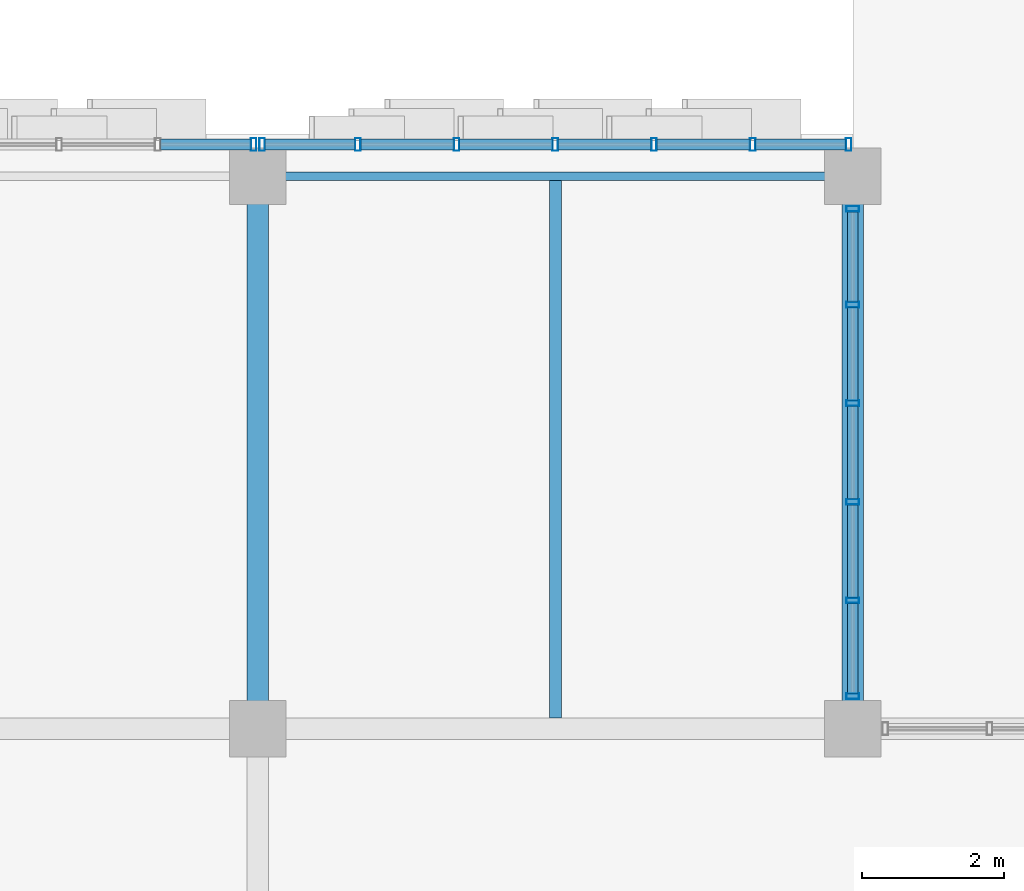
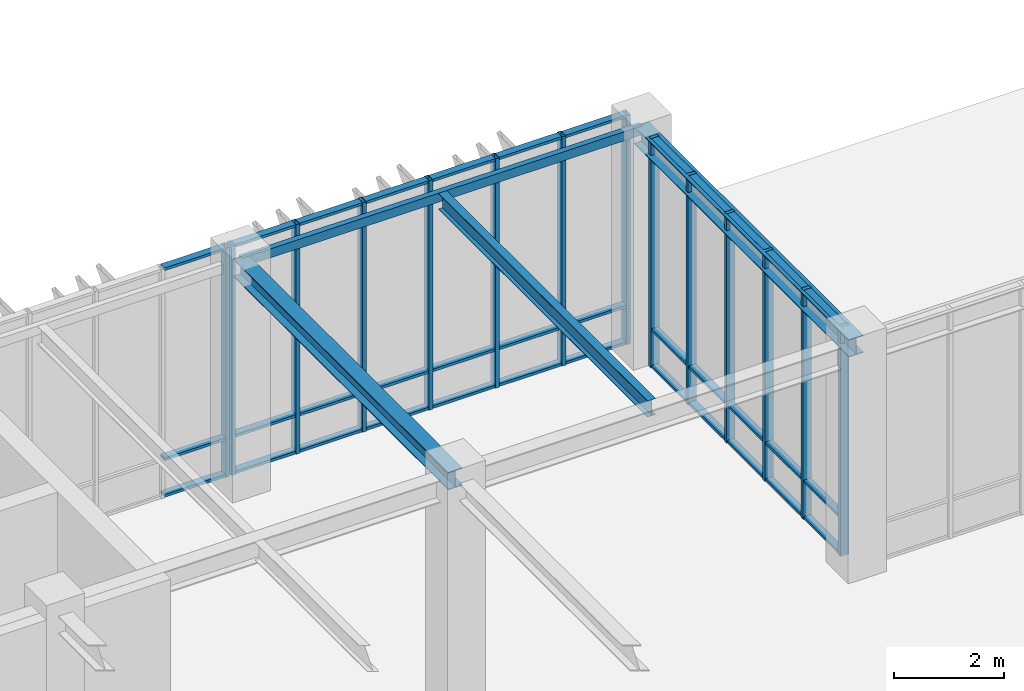
# One storey, part 49 of 139: 50 members, 4 beams, 3 elements without a shape of their own.
"""IFC4 building model written with IfcOpenShell, lengths in metres."""

from ifc_helpers import new_model, si_unit, direction, frame, origin, origin_2d, place, context, subcontext, project, spatial, hollow_rectangle, i_section, extrude, material, layer, layer_set, material_profile, profile_set, type_object, element, aggregate, save


model = new_model("IFC4")

# Units and contexts
model_context = context("Model", 3, precision=1e-05, world=origin(), true_north=direction((0.0, 1.0)))
body_context = subcontext(model_context, "Body", "Model", "MODEL_VIEW")
ifc_project = project(units=[si_unit("LENGTHUNIT", "METRE"), si_unit("AREAUNIT", "SQUARE_METRE"), si_unit("VOLUMEUNIT", "CUBIC_METRE"), si_unit("PLANEANGLEUNIT", "RADIAN"), si_unit("MASSUNIT", "GRAM", prefix="KILO")], contexts=[model_context])

# Site, building, storey
site_placement = place(None, origin())
site = spatial("IfcSite", under=ifc_project, at=site_placement, CompositionType="ELEMENT")
building_placement = place(site_placement, origin())
building = spatial("IfcBuilding", under=site, at=building_placement, Name="Zayran Congress Hotel", CompositionType="ELEMENT")
storey_placement = place(building_placement, frame((0.0, 0.0, 5.39990234375)))
storey = spatial("IfcBuildingStorey", under=building, at=storey_placement, Name="L01", CompositionType="ELEMENT", Elevation=5.39990234375)

# Beams
ifc_material_1 = material(Name="Steel S355", Category="steel")
ifc_material_profile_1 = material_profile(ifc_material_1, i_section(OverallWidth=0.300048828125, OverallDepth=0.389892578125, WebThickness=0.010986328125, FlangeThickness=0.01904296875, at=origin_2d()), Name="HEA 400")
ifc_profile_set_1 = profile_set([ifc_material_profile_1], Name="Steel S355")
beam_type_1 = type_object("IfcBeamType", Name="TP-BM-06", PredefinedType="BEAM", material=ifc_profile_set_1)
for number, where, z_axis, x_axis, name in (
    (1, (25.199951171875, 109.60009765625, 4.885009765625), (0.0, 1.0, 0.0), (-1.0, 0.0, 0.0), "BM-V1-L01-0586"),
    (2, (33.60009765625, 109.60009765625, 4.885009765625), (0.0, 1.0, 0.0), (-1.0, 0.0, 0.0), "BM-V1-L01-0589"),
):
    element("IfcBeam", number, at=place(storey_placement, frame(where, z_axis=z_axis, x_axis=x_axis)), inside=storey, type_object=beam_type_1, Name=name, PredefinedType="BEAM", context=body_context, shape_type="SweptSolid", body=[
        extrude(i_section(OverallWidth=0.300048828125, OverallDepth=0.389892578125, WebThickness=0.010986328125, FlangeThickness=0.01904296875, at=origin_2d()), origin(), (0.0, 0.0, 1.0), 7.7998046875),
    ])
ifc_material_profile_2 = material_profile(ifc_material_1, i_section(OverallWidth=0.169921875, OverallDepth=0.360107421875, WebThickness=0.008056640625, FlangeThickness=0.0126953125, at=origin_2d()), Name="IPE 360")
ifc_profile_set_2 = profile_set([ifc_material_profile_2], Name="Steel S355")
beam_type_2 = type_object("IfcBeamType", Name="TP-JS-04", PredefinedType="JOIST", material=ifc_profile_set_2)
beam_1_placement = place(storey_placement, frame((29.39990234375, 109.75, 4.900146484375), z_axis=(0.0, 1.0, 0.0), x_axis=(-1.0, 0.0, 0.0)))
element("IfcBeam", 3, at=beam_1_placement, inside=storey, type_object=beam_type_2, Name="JST-V1-L01-0628", PredefinedType="JOIST", context=body_context, shape_type="SweptSolid", body=[
    extrude(i_section(OverallWidth=0.169921875, OverallDepth=0.360107421875, WebThickness=0.008056640625, FlangeThickness=0.0126953125, at=origin_2d()), origin(), (0.0, 0.0, 1.0), 7.590087890625),
])
ifc_material_profile_3 = material_profile(ifc_material_1, hollow_rectangle(XDim=0.1201171875, YDim=0.199951171875, WallThickness=0.008056640625, at=origin_2d()), Name="RHS 200x120x8")
ifc_profile_set_3 = profile_set([ifc_material_profile_3], Name="Steel S355")
beam_type_3 = type_object("IfcBeamType", Name="TP-SP-02", PredefinedType="SPANDREL", material=ifc_profile_set_3)
beam_2_placement = place(storey_placement, frame((25.199951171875, 117.39990234375, 4.97998046875), z_axis=(1.0, 0.0, 0.0), x_axis=(0.0, 1.0, 0.0)))
element("IfcBeam", 4, at=beam_2_placement, inside=storey, type_object=beam_type_3, Name="BM-V1-L01-0563", PredefinedType="SPANDREL", context=body_context, shape_type="SweptSolid", body=[
    extrude(hollow_rectangle(XDim=0.1201171875, YDim=0.199951171875, WallThickness=0.008056640625, at=origin_2d()), origin(), (0.0, 0.0, 1.0), 8.400146484375),
])

# Curtain wall, member
ifc_material_2 = material(Name="Anodised aluminium and low-E insulated glass", Category="aluminium")
ifc_layer_1 = layer(ifc_material_2, 0.179931640625)
ifc_layer_set_1 = layer_set([ifc_layer_1], Name="Anodised aluminium and low-E insulated glass")
curtain_wall_type_1 = type_object("IfcCurtainWallType", Name="CW-V1N-L01-CW-22-8360-5080", PredefinedType="USERDEFINED", material=ifc_layer_set_1)
curtain_wall_1_placement = place(storey_placement, origin())
curtain_wall_1 = element("IfcCurtainWall", 5, at=curtain_wall_1_placement, inside=storey, type_object=curtain_wall_type_1, Name="CW-V1N-L01-1", ObjectType="CURTAIN WALL", PredefinedType="USERDEFINED")
ifc_material_3 = material(Name="Anodised aluminium framing", Category="aluminium")
ifc_material_profile_4 = material_profile(ifc_material_3, hollow_rectangle(XDim=0.080078125, YDim=0.179931640625, WallThickness=0.0048828125, at=origin_2d()), Name="RHS 180x80x5")
ifc_profile_set_4 = profile_set([ifc_material_profile_4], Name="Anodised aluminium framing")
member_type_1 = type_object("IfcMemberType", Name="TP-CWM-01", PredefinedType="MULLION", material=ifc_profile_set_4)
member_1_placement = place(storey_placement, frame((25.139892578125, 117.85009765625, 0.0), z_axis=(0.0, 0.0, 1.0), x_axis=(1.0, 0.0, 0.0)))
member_1 = element("IfcMember", 6, at=member_1_placement, type_object=member_type_1, Name="CW-V1N-L01-1-M00", PredefinedType="MULLION", context=body_context, shape_type="SweptSolid", body=[
    extrude(hollow_rectangle(XDim=0.080078125, YDim=0.179931640625, WallThickness=0.0048828125, at=origin_2d()), origin(), (0.0, 0.0, 1.0), 5.080078125),
])

# Curtain wall, members
ifc_layer_2 = layer(ifc_material_2, 0.179931640625)
ifc_layer_set_2 = layer_set([ifc_layer_2], Name="Anodised aluminium and low-E insulated glass")
curtain_wall_type_2 = type_object("IfcCurtainWallType", Name="CW-V1N-L01-CW-23-8360-5080", PredefinedType="USERDEFINED", material=ifc_layer_set_2)
curtain_wall_2_placement = place(storey_placement, origin())
curtain_wall_2 = element("IfcCurtainWall", 7, at=curtain_wall_2_placement, inside=storey, type_object=curtain_wall_type_2, Name="CW-V1N-L01-2", ObjectType="CURTAIN WALL", PredefinedType="USERDEFINED")
member_2_placement = place(storey_placement, frame((33.5400390625, 117.85009765625, 0.0), z_axis=(0.0, 0.0, 1.0), x_axis=(1.0, 0.0, 0.0)))
member_2 = element("IfcMember", 8, at=member_2_placement, type_object=member_type_1, Name="CW-V1N-L01-2-M00", PredefinedType="MULLION", context=body_context, shape_type="SweptSolid", body=[
    extrude(hollow_rectangle(XDim=0.080078125, YDim=0.179931640625, WallThickness=0.0048828125, at=origin_2d()), origin(), (0.0, 0.0, 1.0), 5.080078125),
])
member_3_placement = place(storey_placement, frame((32.186767578125, 117.85009765625, 0.0), z_axis=(0.0, 0.0, 1.0), x_axis=(1.0, 0.0, 0.0)))
member_3 = element("IfcMember", 9, at=member_3_placement, type_object=member_type_1, Name="CW-V1N-L01-2-M01", PredefinedType="MULLION", context=body_context, shape_type="SweptSolid", body=[
    extrude(hollow_rectangle(XDim=0.080078125, YDim=0.179931640625, WallThickness=0.0048828125, at=origin_2d()), origin(), (0.0, 0.0, 1.0), 5.080078125),
])
member_4_placement = place(storey_placement, frame((30.793212890625, 117.85009765625, 0.0), z_axis=(0.0, 0.0, 1.0), x_axis=(1.0, 0.0, 0.0)))
member_4 = element("IfcMember", 10, at=member_4_placement, type_object=member_type_1, Name="CW-V1N-L01-2-M02", PredefinedType="MULLION", context=body_context, shape_type="SweptSolid", body=[
    extrude(hollow_rectangle(XDim=0.080078125, YDim=0.179931640625, WallThickness=0.0048828125, at=origin_2d()), origin(), (0.0, 0.0, 1.0), 5.080078125),
])
member_5_placement = place(storey_placement, frame((29.39990234375, 117.85009765625, 0.0), z_axis=(0.0, 0.0, 1.0), x_axis=(1.0, 0.0, 0.0)))
member_5 = element("IfcMember", 11, at=member_5_placement, type_object=member_type_1, Name="CW-V1N-L01-2-M03", PredefinedType="MULLION", context=body_context, shape_type="SweptSolid", body=[
    extrude(hollow_rectangle(XDim=0.080078125, YDim=0.179931640625, WallThickness=0.0048828125, at=origin_2d()), origin(), (0.0, 0.0, 1.0), 5.080078125),
])
member_6_placement = place(storey_placement, frame((28.006591796875, 117.85009765625, 0.0), z_axis=(0.0, 0.0, 1.0), x_axis=(1.0, 0.0, 0.0)))
member_6 = element("IfcMember", 12, at=member_6_placement, type_object=member_type_1, Name="CW-V1N-L01-2-M04", PredefinedType="MULLION", context=body_context, shape_type="SweptSolid", body=[
    extrude(hollow_rectangle(XDim=0.080078125, YDim=0.179931640625, WallThickness=0.0048828125, at=origin_2d()), origin(), (0.0, 0.0, 1.0), 5.080078125),
])
member_7_placement = place(storey_placement, frame((26.61328125, 117.85009765625, 0.0), z_axis=(0.0, 0.0, 1.0), x_axis=(1.0, 0.0, 0.0)))
member_7 = element("IfcMember", 13, at=member_7_placement, type_object=member_type_1, Name="CW-V1N-L01-2-M05", PredefinedType="MULLION", context=body_context, shape_type="SweptSolid", body=[
    extrude(hollow_rectangle(XDim=0.080078125, YDim=0.179931640625, WallThickness=0.0048828125, at=origin_2d()), origin(), (0.0, 0.0, 1.0), 5.080078125),
])
member_8_placement = place(storey_placement, frame((25.260009765625, 117.85009765625, 0.0), z_axis=(0.0, 0.0, 1.0), x_axis=(1.0, 0.0, 0.0)))
member_8 = element("IfcMember", 14, at=member_8_placement, type_object=member_type_1, Name="CW-V1N-L01-2-M06", PredefinedType="MULLION", context=body_context, shape_type="SweptSolid", body=[
    extrude(hollow_rectangle(XDim=0.080078125, YDim=0.179931640625, WallThickness=0.0048828125, at=origin_2d()), origin(), (0.0, 0.0, 1.0), 5.080078125),
])

ifc_layer_3 = layer(ifc_material_2, 0.179931640625)
ifc_layer_set_3 = layer_set([ifc_layer_3], Name="Anodised aluminium and low-E insulated glass")
curtain_wall_type_3 = type_object("IfcCurtainWallType", Name="CW-V1NW-L01-CW-24-6960-5080", PredefinedType="USERDEFINED", material=ifc_layer_set_3)
curtain_wall_3_placement = place(storey_placement, origin())
curtain_wall_3 = element("IfcCurtainWall", 15, at=curtain_wall_3_placement, inside=storey, type_object=curtain_wall_type_3, Name="CW-V1NW-L01", ObjectType="CURTAIN WALL", PredefinedType="USERDEFINED")
member_9_placement = place(storey_placement, frame((33.60009765625, 110.06005859375, 0.0), z_axis=(0.0, 0.0, 1.0), x_axis=(0.0, 1.0, 0.0)))
member_9 = element("IfcMember", 16, at=member_9_placement, type_object=member_type_1, Name="CW-V1NW-L01-M00", PredefinedType="MULLION", context=body_context, shape_type="SweptSolid", body=[
    extrude(hollow_rectangle(XDim=0.080078125, YDim=0.179931640625, WallThickness=0.0048828125, at=origin_2d()), origin(), (0.0, 0.0, 1.0), 5.080078125),
])
member_10_placement = place(storey_placement, frame((33.60009765625, 111.412109375, 0.0), z_axis=(0.0, 0.0, 1.0), x_axis=(0.0, 1.0, 0.0)))
member_10 = element("IfcMember", 17, at=member_10_placement, type_object=member_type_1, Name="CW-V1NW-L01-M01", PredefinedType="MULLION", context=body_context, shape_type="SweptSolid", body=[
    extrude(hollow_rectangle(XDim=0.080078125, YDim=0.179931640625, WallThickness=0.0048828125, at=origin_2d()), origin(), (0.0, 0.0, 1.0), 5.080078125),
])
member_11_placement = place(storey_placement, frame((33.60009765625, 112.803955078125, 0.0), z_axis=(0.0, 0.0, 1.0), x_axis=(0.0, 1.0, 0.0)))
member_11 = element("IfcMember", 18, at=member_11_placement, type_object=member_type_1, Name="CW-V1NW-L01-M02", PredefinedType="MULLION", context=body_context, shape_type="SweptSolid", body=[
    extrude(hollow_rectangle(XDim=0.080078125, YDim=0.179931640625, WallThickness=0.0048828125, at=origin_2d()), origin(), (0.0, 0.0, 1.0), 5.080078125),
])
member_12_placement = place(storey_placement, frame((33.60009765625, 114.196044921875, 0.0), z_axis=(0.0, 0.0, 1.0), x_axis=(0.0, 1.0, 0.0)))
member_12 = element("IfcMember", 19, at=member_12_placement, type_object=member_type_1, Name="CW-V1NW-L01-M03", PredefinedType="MULLION", context=body_context, shape_type="SweptSolid", body=[
    extrude(hollow_rectangle(XDim=0.080078125, YDim=0.179931640625, WallThickness=0.0048828125, at=origin_2d()), origin(), (0.0, 0.0, 1.0), 5.080078125),
])
member_13_placement = place(storey_placement, frame((33.60009765625, 115.587890625, 0.0), z_axis=(0.0, 0.0, 1.0), x_axis=(0.0, 1.0, 0.0)))
member_13 = element("IfcMember", 20, at=member_13_placement, type_object=member_type_1, Name="CW-V1NW-L01-M04", PredefinedType="MULLION", context=body_context, shape_type="SweptSolid", body=[
    extrude(hollow_rectangle(XDim=0.080078125, YDim=0.179931640625, WallThickness=0.0048828125, at=origin_2d()), origin(), (0.0, 0.0, 1.0), 5.080078125),
])
member_14_placement = place(storey_placement, frame((33.60009765625, 116.93994140625, 0.0), z_axis=(0.0, 0.0, 1.0), x_axis=(0.0, 1.0, 0.0)))
member_14 = element("IfcMember", 21, at=member_14_placement, type_object=member_type_1, Name="CW-V1NW-L01-M05", PredefinedType="MULLION", context=body_context, shape_type="SweptSolid", body=[
    extrude(hollow_rectangle(XDim=0.080078125, YDim=0.179931640625, WallThickness=0.0048828125, at=origin_2d()), origin(), (0.0, 0.0, 1.0), 5.080078125),
])

# Member
ifc_material_profile_5 = material_profile(ifc_material_3, hollow_rectangle(XDim=0.06005859375, YDim=0.14990234375, WallThickness=0.00390625, at=origin_2d()), Name="RHS 150x60x4")
ifc_profile_set_5 = profile_set([ifc_material_profile_5], Name="Anodised aluminium framing")
member_type_2 = type_object("IfcMemberType", Name="TP-CWT-01", PredefinedType="USERDEFINED", material=ifc_profile_set_5)
member_15_placement = place(storey_placement, frame((25.10009765625, 117.85009765625, 0.030029296875), z_axis=(-1.0, 0.0, 0.0), x_axis=(0.0, 0.0, 1.0)))
member_15 = element("IfcMember", 22, at=member_15_placement, type_object=member_type_2, Name="CW-V1N-L01-1-T00-0", ObjectType="TRANSOM", PredefinedType="USERDEFINED", context=body_context, shape_type="SweptSolid", body=[
    extrude(hollow_rectangle(XDim=0.06005859375, YDim=0.14990234375, WallThickness=0.00390625, at=origin_2d()), origin(), (0.0, 0.0, 1.0), 1.2734375),
])

member_16_placement = place(storey_placement, frame((25.10009765625, 117.85009765625, 0.840087890625), z_axis=(-1.0, 0.0, 0.0), x_axis=(0.0, 0.0, 1.0)))
member_16 = element("IfcMember", 23, at=member_16_placement, type_object=member_type_2, Name="CW-V1N-L01-1-T00-1", ObjectType="TRANSOM", PredefinedType="USERDEFINED", context=body_context, shape_type="SweptSolid", body=[
    extrude(hollow_rectangle(XDim=0.06005859375, YDim=0.14990234375, WallThickness=0.00390625, at=origin_2d()), origin(), (0.0, 0.0, 1.0), 1.2734375),
])

member_17_placement = place(storey_placement, frame((25.10009765625, 117.85009765625, 5.050048828125), z_axis=(-1.0, 0.0, 0.0), x_axis=(0.0, 0.0, 1.0)))
member_17 = element("IfcMember", 24, at=member_17_placement, type_object=member_type_2, Name="CW-V1N-L01-1-T00-2", ObjectType="TRANSOM", PredefinedType="USERDEFINED", context=body_context, shape_type="SweptSolid", body=[
    extrude(hollow_rectangle(XDim=0.06005859375, YDim=0.14990234375, WallThickness=0.00390625, at=origin_2d()), origin(), (0.0, 0.0, 1.0), 1.2734375),
])

aggregate(curtain_wall_1, [member_1, member_15, member_16, member_17])

member_18_placement = place(storey_placement, frame((33.5, 117.85009765625, 0.030029296875), z_axis=(-1.0, 0.0, 0.0), x_axis=(0.0, 0.0, 1.0)))
member_18 = element("IfcMember", 25, at=member_18_placement, type_object=member_type_2, Name="CW-V1N-L01-2-T00-0", ObjectType="TRANSOM", PredefinedType="USERDEFINED", context=body_context, shape_type="SweptSolid", body=[
    extrude(hollow_rectangle(XDim=0.06005859375, YDim=0.14990234375, WallThickness=0.00390625, at=origin_2d()), origin(), (0.0, 0.0, 1.0), 1.273193359375),
])

member_19_placement = place(storey_placement, frame((33.5, 117.85009765625, 0.840087890625), z_axis=(-1.0, 0.0, 0.0), x_axis=(0.0, 0.0, 1.0)))
member_19 = element("IfcMember", 26, at=member_19_placement, type_object=member_type_2, Name="CW-V1N-L01-2-T00-1", ObjectType="TRANSOM", PredefinedType="USERDEFINED", context=body_context, shape_type="SweptSolid", body=[
    extrude(hollow_rectangle(XDim=0.06005859375, YDim=0.14990234375, WallThickness=0.00390625, at=origin_2d()), origin(), (0.0, 0.0, 1.0), 1.273193359375),
])

member_20_placement = place(storey_placement, frame((33.5, 117.85009765625, 5.050048828125), z_axis=(-1.0, 0.0, 0.0), x_axis=(0.0, 0.0, 1.0)))
member_20 = element("IfcMember", 27, at=member_20_placement, type_object=member_type_2, Name="CW-V1N-L01-2-T00-2", ObjectType="TRANSOM", PredefinedType="USERDEFINED", context=body_context, shape_type="SweptSolid", body=[
    extrude(hollow_rectangle(XDim=0.06005859375, YDim=0.14990234375, WallThickness=0.00390625, at=origin_2d()), origin(), (0.0, 0.0, 1.0), 1.273193359375),
])

member_21_placement = place(storey_placement, frame((32.146728515625, 117.85009765625, 0.030029296875), z_axis=(-1.0, 0.0, 0.0), x_axis=(0.0, 0.0, 1.0)))
member_21 = element("IfcMember", 28, at=member_21_placement, type_object=member_type_2, Name="CW-V1N-L01-2-T01-0", ObjectType="TRANSOM", PredefinedType="USERDEFINED", context=body_context, shape_type="SweptSolid", body=[
    extrude(hollow_rectangle(XDim=0.06005859375, YDim=0.14990234375, WallThickness=0.00390625, at=origin_2d()), origin(), (0.0, 0.0, 1.0), 1.3134765625),
])

member_22_placement = place(storey_placement, frame((32.146728515625, 117.85009765625, 0.840087890625), z_axis=(-1.0, 0.0, 0.0), x_axis=(0.0, 0.0, 1.0)))
member_22 = element("IfcMember", 29, at=member_22_placement, type_object=member_type_2, Name="CW-V1N-L01-2-T01-1", ObjectType="TRANSOM", PredefinedType="USERDEFINED", context=body_context, shape_type="SweptSolid", body=[
    extrude(hollow_rectangle(XDim=0.06005859375, YDim=0.14990234375, WallThickness=0.00390625, at=origin_2d()), origin(), (0.0, 0.0, 1.0), 1.3134765625),
])

member_23_placement = place(storey_placement, frame((32.146728515625, 117.85009765625, 5.050048828125), z_axis=(-1.0, 0.0, 0.0), x_axis=(0.0, 0.0, 1.0)))
member_23 = element("IfcMember", 30, at=member_23_placement, type_object=member_type_2, Name="CW-V1N-L01-2-T01-2", ObjectType="TRANSOM", PredefinedType="USERDEFINED", context=body_context, shape_type="SweptSolid", body=[
    extrude(hollow_rectangle(XDim=0.06005859375, YDim=0.14990234375, WallThickness=0.00390625, at=origin_2d()), origin(), (0.0, 0.0, 1.0), 1.3134765625),
])

member_24_placement = place(storey_placement, frame((30.75341796875, 117.85009765625, 0.030029296875), z_axis=(-1.0, 0.0, 0.0), x_axis=(0.0, 0.0, 1.0)))
member_24 = element("IfcMember", 31, at=member_24_placement, type_object=member_type_2, Name="CW-V1N-L01-2-T02-0", ObjectType="TRANSOM", PredefinedType="USERDEFINED", context=body_context, shape_type="SweptSolid", body=[
    extrude(hollow_rectangle(XDim=0.06005859375, YDim=0.14990234375, WallThickness=0.00390625, at=origin_2d()), origin(), (0.0, 0.0, 1.0), 1.3134765625),
])

member_25_placement = place(storey_placement, frame((30.75341796875, 117.85009765625, 0.840087890625), z_axis=(-1.0, 0.0, 0.0), x_axis=(0.0, 0.0, 1.0)))
member_25 = element("IfcMember", 32, at=member_25_placement, type_object=member_type_2, Name="CW-V1N-L01-2-T02-1", ObjectType="TRANSOM", PredefinedType="USERDEFINED", context=body_context, shape_type="SweptSolid", body=[
    extrude(hollow_rectangle(XDim=0.06005859375, YDim=0.14990234375, WallThickness=0.00390625, at=origin_2d()), origin(), (0.0, 0.0, 1.0), 1.3134765625),
])

member_26_placement = place(storey_placement, frame((30.75341796875, 117.85009765625, 5.050048828125), z_axis=(-1.0, 0.0, 0.0), x_axis=(0.0, 0.0, 1.0)))
member_26 = element("IfcMember", 33, at=member_26_placement, type_object=member_type_2, Name="CW-V1N-L01-2-T02-2", ObjectType="TRANSOM", PredefinedType="USERDEFINED", context=body_context, shape_type="SweptSolid", body=[
    extrude(hollow_rectangle(XDim=0.06005859375, YDim=0.14990234375, WallThickness=0.00390625, at=origin_2d()), origin(), (0.0, 0.0, 1.0), 1.3134765625),
])

member_27_placement = place(storey_placement, frame((29.360107421875, 117.85009765625, 0.030029296875), z_axis=(-1.0, 0.0, 0.0), x_axis=(0.0, 0.0, 1.0)))
member_27 = element("IfcMember", 34, at=member_27_placement, type_object=member_type_2, Name="CW-V1N-L01-2-T03-0", ObjectType="TRANSOM", PredefinedType="USERDEFINED", context=body_context, shape_type="SweptSolid", body=[
    extrude(hollow_rectangle(XDim=0.06005859375, YDim=0.14990234375, WallThickness=0.00390625, at=origin_2d()), origin(), (0.0, 0.0, 1.0), 1.3134765625),
])

member_28_placement = place(storey_placement, frame((29.360107421875, 117.85009765625, 0.840087890625), z_axis=(-1.0, 0.0, 0.0), x_axis=(0.0, 0.0, 1.0)))
member_28 = element("IfcMember", 35, at=member_28_placement, type_object=member_type_2, Name="CW-V1N-L01-2-T03-1", ObjectType="TRANSOM", PredefinedType="USERDEFINED", context=body_context, shape_type="SweptSolid", body=[
    extrude(hollow_rectangle(XDim=0.06005859375, YDim=0.14990234375, WallThickness=0.00390625, at=origin_2d()), origin(), (0.0, 0.0, 1.0), 1.3134765625),
])

member_29_placement = place(storey_placement, frame((29.360107421875, 117.85009765625, 5.050048828125), z_axis=(-1.0, 0.0, 0.0), x_axis=(0.0, 0.0, 1.0)))
member_29 = element("IfcMember", 36, at=member_29_placement, type_object=member_type_2, Name="CW-V1N-L01-2-T03-2", ObjectType="TRANSOM", PredefinedType="USERDEFINED", context=body_context, shape_type="SweptSolid", body=[
    extrude(hollow_rectangle(XDim=0.06005859375, YDim=0.14990234375, WallThickness=0.00390625, at=origin_2d()), origin(), (0.0, 0.0, 1.0), 1.3134765625),
])

member_30_placement = place(storey_placement, frame((27.966796875, 117.85009765625, 0.030029296875), z_axis=(-1.0, 0.0, 0.0), x_axis=(0.0, 0.0, 1.0)))
member_30 = element("IfcMember", 37, at=member_30_placement, type_object=member_type_2, Name="CW-V1N-L01-2-T04-0", ObjectType="TRANSOM", PredefinedType="USERDEFINED", context=body_context, shape_type="SweptSolid", body=[
    extrude(hollow_rectangle(XDim=0.06005859375, YDim=0.14990234375, WallThickness=0.00390625, at=origin_2d()), origin(), (0.0, 0.0, 1.0), 1.3134765625),
])

member_31_placement = place(storey_placement, frame((27.966796875, 117.85009765625, 0.840087890625), z_axis=(-1.0, 0.0, 0.0), x_axis=(0.0, 0.0, 1.0)))
member_31 = element("IfcMember", 38, at=member_31_placement, type_object=member_type_2, Name="CW-V1N-L01-2-T04-1", ObjectType="TRANSOM", PredefinedType="USERDEFINED", context=body_context, shape_type="SweptSolid", body=[
    extrude(hollow_rectangle(XDim=0.06005859375, YDim=0.14990234375, WallThickness=0.00390625, at=origin_2d()), origin(), (0.0, 0.0, 1.0), 1.3134765625),
])

member_32_placement = place(storey_placement, frame((27.966796875, 117.85009765625, 5.050048828125), z_axis=(-1.0, 0.0, 0.0), x_axis=(0.0, 0.0, 1.0)))
member_32 = element("IfcMember", 39, at=member_32_placement, type_object=member_type_2, Name="CW-V1N-L01-2-T04-2", ObjectType="TRANSOM", PredefinedType="USERDEFINED", context=body_context, shape_type="SweptSolid", body=[
    extrude(hollow_rectangle(XDim=0.06005859375, YDim=0.14990234375, WallThickness=0.00390625, at=origin_2d()), origin(), (0.0, 0.0, 1.0), 1.3134765625),
])

member_33_placement = place(storey_placement, frame((26.5732421875, 117.85009765625, 0.030029296875), z_axis=(-1.0, 0.0, 0.0), x_axis=(0.0, 0.0, 1.0)))
member_33 = element("IfcMember", 40, at=member_33_placement, type_object=member_type_2, Name="CW-V1N-L01-2-T05-0", ObjectType="TRANSOM", PredefinedType="USERDEFINED", context=body_context, shape_type="SweptSolid", body=[
    extrude(hollow_rectangle(XDim=0.06005859375, YDim=0.14990234375, WallThickness=0.00390625, at=origin_2d()), origin(), (0.0, 0.0, 1.0), 1.273193359375),
])

member_34_placement = place(storey_placement, frame((26.5732421875, 117.85009765625, 0.840087890625), z_axis=(-1.0, 0.0, 0.0), x_axis=(0.0, 0.0, 1.0)))
member_34 = element("IfcMember", 41, at=member_34_placement, type_object=member_type_2, Name="CW-V1N-L01-2-T05-1", ObjectType="TRANSOM", PredefinedType="USERDEFINED", context=body_context, shape_type="SweptSolid", body=[
    extrude(hollow_rectangle(XDim=0.06005859375, YDim=0.14990234375, WallThickness=0.00390625, at=origin_2d()), origin(), (0.0, 0.0, 1.0), 1.273193359375),
])

member_35_placement = place(storey_placement, frame((26.5732421875, 117.85009765625, 5.050048828125), z_axis=(-1.0, 0.0, 0.0), x_axis=(0.0, 0.0, 1.0)))
member_35 = element("IfcMember", 42, at=member_35_placement, type_object=member_type_2, Name="CW-V1N-L01-2-T05-2", ObjectType="TRANSOM", PredefinedType="USERDEFINED", context=body_context, shape_type="SweptSolid", body=[
    extrude(hollow_rectangle(XDim=0.06005859375, YDim=0.14990234375, WallThickness=0.00390625, at=origin_2d()), origin(), (0.0, 0.0, 1.0), 1.273193359375),
])

aggregate(curtain_wall_2, [member_2, member_3, member_4, member_5, member_6, member_7, member_8, member_18, member_19, member_20, member_21, member_22, member_23, member_24, member_25, member_26, member_27, member_28, member_29, member_30, member_31, member_32, member_33, member_34, member_35])

member_36_placement = place(storey_placement, frame((33.60009765625, 110.10009765625, 0.030029296875), z_axis=(0.0, 1.0, 0.0), x_axis=(0.0, 0.0, 1.0)))
member_36 = element("IfcMember", 43, at=member_36_placement, type_object=member_type_2, Name="CW-V1NW-L01-T00-0", ObjectType="TRANSOM", PredefinedType="USERDEFINED", context=body_context, shape_type="SweptSolid", body=[
    extrude(hollow_rectangle(XDim=0.06005859375, YDim=0.14990234375, WallThickness=0.00390625, at=origin_2d()), origin(), (0.0, 0.0, 1.0), 1.27197265625),
])

member_37_placement = place(storey_placement, frame((33.60009765625, 110.10009765625, 0.840087890625), z_axis=(0.0, 1.0, 0.0), x_axis=(0.0, 0.0, 1.0)))
member_37 = element("IfcMember", 44, at=member_37_placement, type_object=member_type_2, Name="CW-V1NW-L01-T00-1", ObjectType="TRANSOM", PredefinedType="USERDEFINED", context=body_context, shape_type="SweptSolid", body=[
    extrude(hollow_rectangle(XDim=0.06005859375, YDim=0.14990234375, WallThickness=0.00390625, at=origin_2d()), origin(), (0.0, 0.0, 1.0), 1.27197265625),
])

member_38_placement = place(storey_placement, frame((33.60009765625, 110.10009765625, 5.050048828125), z_axis=(0.0, 1.0, 0.0), x_axis=(0.0, 0.0, 1.0)))
member_38 = element("IfcMember", 45, at=member_38_placement, type_object=member_type_2, Name="CW-V1NW-L01-T00-2", ObjectType="TRANSOM", PredefinedType="USERDEFINED", context=body_context, shape_type="SweptSolid", body=[
    extrude(hollow_rectangle(XDim=0.06005859375, YDim=0.14990234375, WallThickness=0.00390625, at=origin_2d()), origin(), (0.0, 0.0, 1.0), 1.27197265625),
])

member_39_placement = place(storey_placement, frame((33.60009765625, 111.451904296875, 0.030029296875), z_axis=(0.0, 1.0, 0.0), x_axis=(0.0, 0.0, 1.0)))
member_39 = element("IfcMember", 46, at=member_39_placement, type_object=member_type_2, Name="CW-V1NW-L01-T01-0", ObjectType="TRANSOM", PredefinedType="USERDEFINED", context=body_context, shape_type="SweptSolid", body=[
    extrude(hollow_rectangle(XDim=0.06005859375, YDim=0.14990234375, WallThickness=0.00390625, at=origin_2d()), origin(), (0.0, 0.0, 1.0), 1.31201171875),
])

member_40_placement = place(storey_placement, frame((33.60009765625, 111.451904296875, 0.840087890625), z_axis=(0.0, 1.0, 0.0), x_axis=(0.0, 0.0, 1.0)))
member_40 = element("IfcMember", 47, at=member_40_placement, type_object=member_type_2, Name="CW-V1NW-L01-T01-1", ObjectType="TRANSOM", PredefinedType="USERDEFINED", context=body_context, shape_type="SweptSolid", body=[
    extrude(hollow_rectangle(XDim=0.06005859375, YDim=0.14990234375, WallThickness=0.00390625, at=origin_2d()), origin(), (0.0, 0.0, 1.0), 1.31201171875),
])

member_41_placement = place(storey_placement, frame((33.60009765625, 111.451904296875, 5.050048828125), z_axis=(0.0, 1.0, 0.0), x_axis=(0.0, 0.0, 1.0)))
member_41 = element("IfcMember", 48, at=member_41_placement, type_object=member_type_2, Name="CW-V1NW-L01-T01-2", ObjectType="TRANSOM", PredefinedType="USERDEFINED", context=body_context, shape_type="SweptSolid", body=[
    extrude(hollow_rectangle(XDim=0.06005859375, YDim=0.14990234375, WallThickness=0.00390625, at=origin_2d()), origin(), (0.0, 0.0, 1.0), 1.31201171875),
])

member_42_placement = place(storey_placement, frame((33.60009765625, 112.843994140625, 0.030029296875), z_axis=(0.0, 1.0, 0.0), x_axis=(0.0, 0.0, 1.0)))
member_42 = element("IfcMember", 49, at=member_42_placement, type_object=member_type_2, Name="CW-V1NW-L01-T02-0", ObjectType="TRANSOM", PredefinedType="USERDEFINED", context=body_context, shape_type="SweptSolid", body=[
    extrude(hollow_rectangle(XDim=0.06005859375, YDim=0.14990234375, WallThickness=0.00390625, at=origin_2d()), origin(), (0.0, 0.0, 1.0), 1.31201171875),
])

member_43_placement = place(storey_placement, frame((33.60009765625, 112.843994140625, 0.840087890625), z_axis=(0.0, 1.0, 0.0), x_axis=(0.0, 0.0, 1.0)))
member_43 = element("IfcMember", 50, at=member_43_placement, type_object=member_type_2, Name="CW-V1NW-L01-T02-1", ObjectType="TRANSOM", PredefinedType="USERDEFINED", context=body_context, shape_type="SweptSolid", body=[
    extrude(hollow_rectangle(XDim=0.06005859375, YDim=0.14990234375, WallThickness=0.00390625, at=origin_2d()), origin(), (0.0, 0.0, 1.0), 1.31201171875),
])

member_44_placement = place(storey_placement, frame((33.60009765625, 112.843994140625, 5.050048828125), z_axis=(0.0, 1.0, 0.0), x_axis=(0.0, 0.0, 1.0)))
member_44 = element("IfcMember", 51, at=member_44_placement, type_object=member_type_2, Name="CW-V1NW-L01-T02-2", ObjectType="TRANSOM", PredefinedType="USERDEFINED", context=body_context, shape_type="SweptSolid", body=[
    extrude(hollow_rectangle(XDim=0.06005859375, YDim=0.14990234375, WallThickness=0.00390625, at=origin_2d()), origin(), (0.0, 0.0, 1.0), 1.31201171875),
])

member_45_placement = place(storey_placement, frame((33.60009765625, 114.236083984375, 0.030029296875), z_axis=(0.0, 1.0, 0.0), x_axis=(0.0, 0.0, 1.0)))
member_45 = element("IfcMember", 52, at=member_45_placement, type_object=member_type_2, Name="CW-V1NW-L01-T03-0", ObjectType="TRANSOM", PredefinedType="USERDEFINED", context=body_context, shape_type="SweptSolid", body=[
    extrude(hollow_rectangle(XDim=0.06005859375, YDim=0.14990234375, WallThickness=0.00390625, at=origin_2d()), origin(), (0.0, 0.0, 1.0), 1.31201171875),
])

member_46_placement = place(storey_placement, frame((33.60009765625, 114.236083984375, 0.840087890625), z_axis=(0.0, 1.0, 0.0), x_axis=(0.0, 0.0, 1.0)))
member_46 = element("IfcMember", 53, at=member_46_placement, type_object=member_type_2, Name="CW-V1NW-L01-T03-1", ObjectType="TRANSOM", PredefinedType="USERDEFINED", context=body_context, shape_type="SweptSolid", body=[
    extrude(hollow_rectangle(XDim=0.06005859375, YDim=0.14990234375, WallThickness=0.00390625, at=origin_2d()), origin(), (0.0, 0.0, 1.0), 1.31201171875),
])

member_47_placement = place(storey_placement, frame((33.60009765625, 114.236083984375, 5.050048828125), z_axis=(0.0, 1.0, 0.0), x_axis=(0.0, 0.0, 1.0)))
member_47 = element("IfcMember", 54, at=member_47_placement, type_object=member_type_2, Name="CW-V1NW-L01-T03-2", ObjectType="TRANSOM", PredefinedType="USERDEFINED", context=body_context, shape_type="SweptSolid", body=[
    extrude(hollow_rectangle(XDim=0.06005859375, YDim=0.14990234375, WallThickness=0.00390625, at=origin_2d()), origin(), (0.0, 0.0, 1.0), 1.31201171875),
])

member_48_placement = place(storey_placement, frame((33.60009765625, 115.6279296875, 0.030029296875), z_axis=(0.0, 1.0, 0.0), x_axis=(0.0, 0.0, 1.0)))
member_48 = element("IfcMember", 55, at=member_48_placement, type_object=member_type_2, Name="CW-V1NW-L01-T04-0", ObjectType="TRANSOM", PredefinedType="USERDEFINED", context=body_context, shape_type="SweptSolid", body=[
    extrude(hollow_rectangle(XDim=0.06005859375, YDim=0.14990234375, WallThickness=0.00390625, at=origin_2d()), origin(), (0.0, 0.0, 1.0), 1.27197265625),
])

member_49_placement = place(storey_placement, frame((33.60009765625, 115.6279296875, 0.840087890625), z_axis=(0.0, 1.0, 0.0), x_axis=(0.0, 0.0, 1.0)))
member_49 = element("IfcMember", 56, at=member_49_placement, type_object=member_type_2, Name="CW-V1NW-L01-T04-1", ObjectType="TRANSOM", PredefinedType="USERDEFINED", context=body_context, shape_type="SweptSolid", body=[
    extrude(hollow_rectangle(XDim=0.06005859375, YDim=0.14990234375, WallThickness=0.00390625, at=origin_2d()), origin(), (0.0, 0.0, 1.0), 1.27197265625),
])

member_50_placement = place(storey_placement, frame((33.60009765625, 115.6279296875, 5.050048828125), z_axis=(0.0, 1.0, 0.0), x_axis=(0.0, 0.0, 1.0)))
member_50 = element("IfcMember", 57, at=member_50_placement, type_object=member_type_2, Name="CW-V1NW-L01-T04-2", ObjectType="TRANSOM", PredefinedType="USERDEFINED", context=body_context, shape_type="SweptSolid", body=[
    extrude(hollow_rectangle(XDim=0.06005859375, YDim=0.14990234375, WallThickness=0.00390625, at=origin_2d()), origin(), (0.0, 0.0, 1.0), 1.27197265625),
])

aggregate(curtain_wall_3, [member_9, member_10, member_11, member_12, member_13, member_14, member_36, member_37, member_38, member_39, member_40, member_41, member_42, member_43, member_44, member_45, member_46, member_47, member_48, member_49, member_50])

save(model, "model.ifc")
